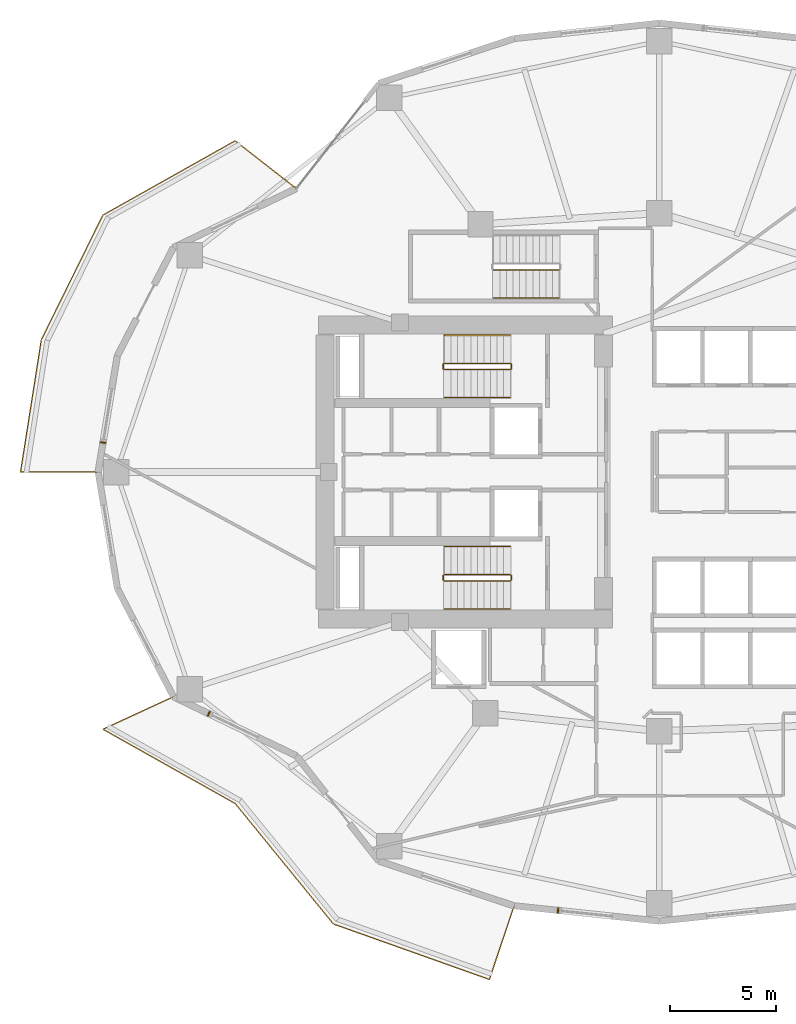
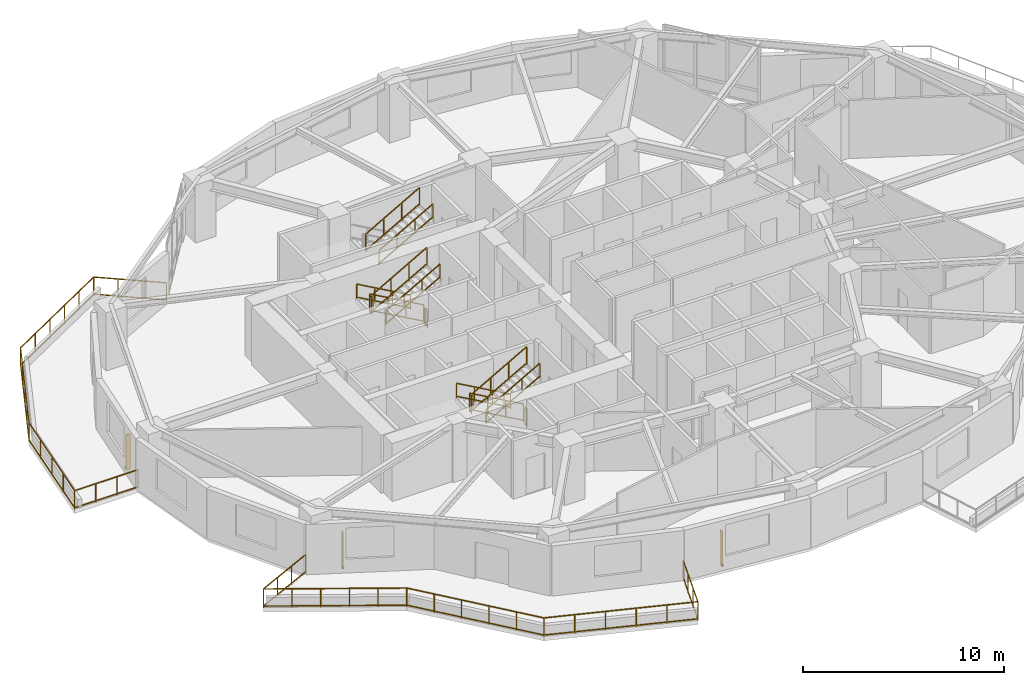
# One storey, part 10 of 12: 16 railings, 3 shading devices.
"""IFC4 building model written with IfcOpenShell, lengths in metres."""

from ifc_helpers import new_model, si_unit, direction, frame, origin, origin_2d, place, context, subcontext, project, spatial, rectangle, extrude, material, type_object, element, save


model = new_model("IFC4")

# Units and contexts
model_context = context("Model", 3, precision=1e-05, world=origin(), true_north=direction((0.0, 1.0)))
body_context = subcontext(model_context, "Body", "Model", "MODEL_VIEW")
ifc_project = project(units=[si_unit("LENGTHUNIT", "METRE"), si_unit("AREAUNIT", "SQUARE_METRE"), si_unit("VOLUMEUNIT", "CUBIC_METRE"), si_unit("PLANEANGLEUNIT", "RADIAN"), si_unit("MASSUNIT", "GRAM", prefix="KILO")], contexts=[model_context])

# Site, building, storey
site_placement = place(None, origin())
site = spatial("IfcSite", under=ifc_project, at=site_placement, CompositionType="ELEMENT")
building_placement = place(site_placement, origin())
building = spatial("IfcBuilding", under=site, at=building_placement, Name="Kolvaren Gate Tower and Convention Centre", CompositionType="ELEMENT")
storey_placement = place(building_placement, frame((0.0, 0.0, 91.949951171875)))
storey = spatial("IfcBuildingStorey", under=building, at=storey_placement, Name="L22", CompositionType="ELEMENT", Elevation=91.949951171875)

# Railings
ifc_material_1 = material(Name="Brushed Stainless Steel Grade 316L", Category="steel")
railing_type_1 = type_object("IfcRailingType", Name="ARCH-RL-GUARD-1150", PredefinedType="GUARDRAIL", material=ifc_material_1)
railing_1_placement = place(storey_placement, frame((23.10009765625, 32.1298828125, 0.175048828125)))
element("IfcRailing", 1, at=railing_1_placement, inside=storey, type_object=railing_type_1, Name="L22 ST-T1 stair guard 1", PredefinedType="GUARDRAIL", context=body_context, shape_type="SweptSolid", body=[
    extrude(rectangle(XDim=0.048095703125, YDim=0.048095703125, at=origin_2d()), frame((0.0, 0.0, 1.076171875), z_axis=(-0.870830938388, 0.0, 0.491582624537), x_axis=(0.0, -1.0, 0.0)), (0.0, 0.0, 1.0), 3.559814453125),
    extrude(rectangle(XDim=0.048095703125, YDim=0.048095703125, at=origin_2d()), frame((0.0, 0.0, 0.083984375), z_axis=(-0.870830938388, 0.0, 0.491582624537), x_axis=(0.0, -1.0, 0.0)), (0.0, 0.0, 1.0), 3.559814453125),
    extrude(rectangle(XDim=0.0419921875, YDim=0.0419921875, at=origin_2d()), origin(), (0.0, 0.0, 1.0), 1.050048828125),
    extrude(rectangle(XDim=0.0419921875, YDim=0.0419921875, at=origin_2d()), frame((-3.10009765625, 0.0, 1.75)), (0.0, 0.0, 1.0), 1.050048828125),
    extrude(rectangle(XDim=0.0419921875, YDim=0.0419921875, at=origin_2d()), frame((-1.033447265625, 0.0, 0.583251953125)), (0.0, 0.0, 1.0), 1.050048828125),
    extrude(rectangle(XDim=0.0419921875, YDim=0.0419921875, at=origin_2d()), frame((-2.066650390625, 0.0, 1.166748046875)), (0.0, 0.0, 1.0), 1.050048828125),
])
railing_2_placement = place(storey_placement, frame((19.949951171875, 32.080078125, 1.925048828125)))
element("IfcRailing", 2, at=railing_2_placement, inside=storey, type_object=railing_type_1, Name="L22 ST-T1 stair guard 2", PredefinedType="GUARDRAIL", context=body_context, shape_type="SweptSolid", body=[
    extrude(rectangle(XDim=0.048095703125, YDim=0.048095703125, at=origin_2d()), frame((0.0, 0.0, 1.076171875), z_axis=(0.0, -1.0, 0.0), x_axis=(1.0, 0.0, 0.0)), (0.0, 0.0, 1.0), 0.2001953125),
    extrude(rectangle(XDim=0.048095703125, YDim=0.048095703125, at=origin_2d()), frame((0.0, 0.0, 0.083984375), z_axis=(0.0, -1.0, 0.0), x_axis=(1.0, 0.0, 0.0)), (0.0, 0.0, 1.0), 0.2001953125),
    extrude(rectangle(XDim=0.0419921875, YDim=0.0419921875, at=origin_2d()), origin(), (0.0, 0.0, 1.0), 1.050048828125),
    extrude(rectangle(XDim=0.0419921875, YDim=0.0419921875, at=origin_2d()), frame((0.0, -0.2001953125, 0.0)), (0.0, 0.0, 1.0), 1.050048828125),
])
railing_3_placement = place(storey_placement, frame((20.0, 31.830078125, 2.10009765625)))
element("IfcRailing", 3, at=railing_3_placement, inside=storey, type_object=railing_type_1, Name="L22 ST-T1 stair guard 3", PredefinedType="GUARDRAIL", context=body_context, shape_type="SweptSolid", body=[
    extrude(rectangle(XDim=0.048095703125, YDim=0.048095703125, at=origin_2d()), frame((0.0, 0.0, 1.076171875), z_axis=(0.870830938388, 0.0, 0.491582624537), x_axis=(0.0, 1.0, 0.0)), (0.0, 0.0, 1.0), 3.559814453125),
    extrude(rectangle(XDim=0.048095703125, YDim=0.048095703125, at=origin_2d()), frame((0.0, 0.0, 0.083984375), z_axis=(0.870830938388, 0.0, 0.491582624537), x_axis=(0.0, 1.0, 0.0)), (0.0, 0.0, 1.0), 3.559814453125),
    extrude(rectangle(XDim=0.0419921875, YDim=0.0419921875, at=origin_2d()), origin(), (0.0, 0.0, 1.0), 1.050048828125),
    extrude(rectangle(XDim=0.0419921875, YDim=0.0419921875, at=origin_2d()), frame((3.10009765625, 0.0, 1.75)), (0.0, 0.0, 1.0), 1.050048828125),
    extrude(rectangle(XDim=0.0419921875, YDim=0.0419921875, at=origin_2d()), frame((1.033447265625, 0.0, 0.583251953125)), (0.0, 0.0, 1.0), 1.050048828125),
    extrude(rectangle(XDim=0.0419921875, YDim=0.0419921875, at=origin_2d()), frame((2.066650390625, 0.0, 1.166748046875)), (0.0, 0.0, 1.0), 1.050048828125),
])
railing_4_placement = place(storey_placement, frame((23.14990234375, 32.080078125, 0.0)))
element("IfcRailing", 4, at=railing_4_placement, inside=storey, type_object=railing_type_1, Name="L22 ST-T1 stair guard 4", PredefinedType="GUARDRAIL", context=body_context, shape_type="SweptSolid", body=[
    extrude(rectangle(XDim=0.048095703125, YDim=0.048095703125, at=origin_2d()), frame((0.0, 0.0, 1.076171875), z_axis=(0.0, -1.0, 0.0), x_axis=(1.0, 0.0, 0.0)), (0.0, 0.0, 1.0), 0.2001953125),
    extrude(rectangle(XDim=0.048095703125, YDim=0.048095703125, at=origin_2d()), frame((0.0, 0.0, 0.083984375), z_axis=(0.0, -1.0, 0.0), x_axis=(1.0, 0.0, 0.0)), (0.0, 0.0, 1.0), 0.2001953125),
    extrude(rectangle(XDim=0.0419921875, YDim=0.0419921875, at=origin_2d()), origin(), (0.0, 0.0, 1.0), 1.050048828125),
    extrude(rectangle(XDim=0.0419921875, YDim=0.0419921875, at=origin_2d()), frame((0.0, -0.2001953125, 0.0)), (0.0, 0.0, 1.0), 1.050048828125),
])
railing_5_placement = place(storey_placement, frame((23.10009765625, 22.169921875, 0.175048828125)))
element("IfcRailing", 5, at=railing_5_placement, inside=storey, type_object=railing_type_1, Name="L22 ST-T2 stair guard 1", PredefinedType="GUARDRAIL", context=body_context, shape_type="SweptSolid", body=[
    extrude(rectangle(XDim=0.048095703125, YDim=0.048095703125, at=origin_2d()), frame((0.0, 0.0, 1.076171875), z_axis=(-0.870830938388, 0.0, 0.491582624537), x_axis=(0.0, -1.0, 0.0)), (0.0, 0.0, 1.0), 3.559814453125),
    extrude(rectangle(XDim=0.048095703125, YDim=0.048095703125, at=origin_2d()), frame((0.0, 0.0, 0.083984375), z_axis=(-0.870830938388, 0.0, 0.491582624537), x_axis=(0.0, -1.0, 0.0)), (0.0, 0.0, 1.0), 3.559814453125),
    extrude(rectangle(XDim=0.0419921875, YDim=0.0419921875, at=origin_2d()), origin(), (0.0, 0.0, 1.0), 1.050048828125),
    extrude(rectangle(XDim=0.0419921875, YDim=0.0419921875, at=origin_2d()), frame((-3.10009765625, 0.0, 1.75)), (0.0, 0.0, 1.0), 1.050048828125),
    extrude(rectangle(XDim=0.0419921875, YDim=0.0419921875, at=origin_2d()), frame((-1.033447265625, 0.0, 0.583251953125)), (0.0, 0.0, 1.0), 1.050048828125),
    extrude(rectangle(XDim=0.0419921875, YDim=0.0419921875, at=origin_2d()), frame((-2.066650390625, 0.0, 1.166748046875)), (0.0, 0.0, 1.0), 1.050048828125),
])
railing_6_placement = place(storey_placement, frame((19.949951171875, 22.1201171875, 1.925048828125)))
element("IfcRailing", 6, at=railing_6_placement, inside=storey, type_object=railing_type_1, Name="L22 ST-T2 stair guard 2", PredefinedType="GUARDRAIL", context=body_context, shape_type="SweptSolid", body=[
    extrude(rectangle(XDim=0.048095703125, YDim=0.048095703125, at=origin_2d()), frame((0.0, 0.0, 1.076171875), z_axis=(0.0, -1.0, 0.0), x_axis=(1.0, 0.0, 0.0)), (0.0, 0.0, 1.0), 0.2001953125),
    extrude(rectangle(XDim=0.048095703125, YDim=0.048095703125, at=origin_2d()), frame((0.0, 0.0, 0.083984375), z_axis=(0.0, -1.0, 0.0), x_axis=(1.0, 0.0, 0.0)), (0.0, 0.0, 1.0), 0.2001953125),
    extrude(rectangle(XDim=0.0419921875, YDim=0.0419921875, at=origin_2d()), origin(), (0.0, 0.0, 1.0), 1.050048828125),
    extrude(rectangle(XDim=0.0419921875, YDim=0.0419921875, at=origin_2d()), frame((0.0, -0.2001953125, 0.0)), (0.0, 0.0, 1.0), 1.050048828125),
])
railing_7_placement = place(storey_placement, frame((20.0, 21.8701171875, 2.10009765625)))
element("IfcRailing", 7, at=railing_7_placement, inside=storey, type_object=railing_type_1, Name="L22 ST-T2 stair guard 3", PredefinedType="GUARDRAIL", context=body_context, shape_type="SweptSolid", body=[
    extrude(rectangle(XDim=0.048095703125, YDim=0.048095703125, at=origin_2d()), frame((0.0, 0.0, 1.076171875), z_axis=(0.870830938388, 0.0, 0.491582624537), x_axis=(0.0, 1.0, 0.0)), (0.0, 0.0, 1.0), 3.559814453125),
    extrude(rectangle(XDim=0.048095703125, YDim=0.048095703125, at=origin_2d()), frame((0.0, 0.0, 0.083984375), z_axis=(0.870830938388, 0.0, 0.491582624537), x_axis=(0.0, 1.0, 0.0)), (0.0, 0.0, 1.0), 3.559814453125),
    extrude(rectangle(XDim=0.0419921875, YDim=0.0419921875, at=origin_2d()), origin(), (0.0, 0.0, 1.0), 1.050048828125),
    extrude(rectangle(XDim=0.0419921875, YDim=0.0419921875, at=origin_2d()), frame((3.10009765625, 0.0, 1.75)), (0.0, 0.0, 1.0), 1.050048828125),
    extrude(rectangle(XDim=0.0419921875, YDim=0.0419921875, at=origin_2d()), frame((1.033447265625, 0.0, 0.583251953125)), (0.0, 0.0, 1.0), 1.050048828125),
    extrude(rectangle(XDim=0.0419921875, YDim=0.0419921875, at=origin_2d()), frame((2.066650390625, 0.0, 1.166748046875)), (0.0, 0.0, 1.0), 1.050048828125),
])
railing_8_placement = place(storey_placement, frame((23.14990234375, 22.1201171875, 0.0)))
element("IfcRailing", 8, at=railing_8_placement, inside=storey, type_object=railing_type_1, Name="L22 ST-T2 stair guard 4", PredefinedType="GUARDRAIL", context=body_context, shape_type="SweptSolid", body=[
    extrude(rectangle(XDim=0.048095703125, YDim=0.048095703125, at=origin_2d()), frame((0.0, 0.0, 1.076171875), z_axis=(0.0, -1.0, 0.0), x_axis=(1.0, 0.0, 0.0)), (0.0, 0.0, 1.0), 0.2001953125),
    extrude(rectangle(XDim=0.048095703125, YDim=0.048095703125, at=origin_2d()), frame((0.0, 0.0, 0.083984375), z_axis=(0.0, -1.0, 0.0), x_axis=(1.0, 0.0, 0.0)), (0.0, 0.0, 1.0), 0.2001953125),
    extrude(rectangle(XDim=0.0419921875, YDim=0.0419921875, at=origin_2d()), origin(), (0.0, 0.0, 1.0), 1.050048828125),
    extrude(rectangle(XDim=0.0419921875, YDim=0.0419921875, at=origin_2d()), frame((0.0, -0.2001953125, 0.0)), (0.0, 0.0, 1.0), 1.050048828125),
])
railing_9_placement = place(storey_placement, frame((22.300048828125, 36.530029296875, 2.10009765625)))
element("IfcRailing", 9, at=railing_9_placement, inside=storey, type_object=railing_type_1, Name="L22 ST-T3 stair guard 3", PredefinedType="GUARDRAIL", context=body_context, shape_type="SweptSolid", body=[
    extrude(rectangle(XDim=0.048095703125, YDim=0.048095703125, at=origin_2d()), frame((0.0, 0.0, 1.076171875), z_axis=(0.870814364268, 0.0, 0.491611984175), x_axis=(0.0, 1.0, 0.0)), (0.0, 0.0, 1.0), 3.559814453125),
    extrude(rectangle(XDim=0.048095703125, YDim=0.048095703125, at=origin_2d()), frame((0.0, 0.0, 0.083984375), z_axis=(0.870814364268, 0.0, 0.491611984175), x_axis=(0.0, 1.0, 0.0)), (0.0, 0.0, 1.0), 3.559814453125),
    extrude(rectangle(XDim=0.0419921875, YDim=0.0419921875, at=origin_2d()), origin(), (0.0, 0.0, 1.0), 1.050048828125),
    extrude(rectangle(XDim=0.0419921875, YDim=0.0419921875, at=origin_2d()), frame((3.099853515625, 0.0, 1.75)), (0.0, 0.0, 1.0), 1.050048828125),
    extrude(rectangle(XDim=0.0419921875, YDim=0.0419921875, at=origin_2d()), frame((1.033203125, 0.0, 0.583251953125)), (0.0, 0.0, 1.0), 1.050048828125),
    extrude(rectangle(XDim=0.0419921875, YDim=0.0419921875, at=origin_2d()), frame((2.066650390625, 0.0, 1.166748046875)), (0.0, 0.0, 1.0), 1.050048828125),
])
railing_10_placement = place(storey_placement, frame((13.026123046875, 40.360107421875, 0.0)))
element("IfcRailing", 10, at=railing_10_placement, inside=storey, type_object=railing_type_1, Name="Tower L22 Terrace Perimeter Guardrail GR-2", PredefinedType="GUARDRAIL", context=body_context, shape_type="SweptSolid", body=[
    extrude(rectangle(XDim=0.048095703125, YDim=0.048095703125, at=origin_2d()), frame((-0.022216796875, 0.017333984375, 1.1259765625), z_axis=(-0.787988976981, 0.61568934712, 0.0), x_axis=(-0.61568934712, -0.787988976981, 0.0)), (0.0, 0.0, 1.0), 3.60400390625),
    extrude(rectangle(XDim=0.048095703125, YDim=0.048095703125, at=origin_2d()), frame((-0.022216796875, 0.017333984375, 0.083984375), z_axis=(-0.787988976981, 0.61568934712, 0.0), x_axis=(-0.61568934712, -0.787988976981, 0.0)), (0.0, 0.0, 1.0), 3.60400390625),
    extrude(rectangle(XDim=0.048095703125, YDim=0.048095703125, at=origin_2d()), frame((-2.908447265625, 2.23974609375, 1.1259765625), z_axis=(-0.871783301661, -0.489891697159, 0.0), x_axis=(0.489891697159, -0.871783301661, 0.0)), (0.0, 0.0, 1.0), 7.096435546875),
    extrude(rectangle(XDim=0.048095703125, YDim=0.048095703125, at=origin_2d()), frame((-2.908447265625, 2.23974609375, 0.083984375), z_axis=(-0.871783301661, -0.489891697159, 0.0), x_axis=(0.489891697159, -0.871783301661, 0.0)), (0.0, 0.0, 1.0), 7.096435546875),
    extrude(rectangle(XDim=0.048095703125, YDim=0.048095703125, at=origin_2d()), frame((-9.1318359375, -1.275634765625, 1.1259765625), z_axis=(-0.442686636348, -0.89667638644, 0.0), x_axis=(0.89667638644, -0.442686636348, 0.0)), (0.0, 0.0, 1.0), 6.488525390625),
    extrude(rectangle(XDim=0.048095703125, YDim=0.048095703125, at=origin_2d()), frame((-9.1318359375, -1.275634765625, 0.083984375), z_axis=(-0.442686636348, -0.89667638644, 0.0), x_axis=(0.89667638644, -0.442686636348, 0.0)), (0.0, 0.0, 1.0), 6.488525390625),
    extrude(rectangle(XDim=0.048095703125, YDim=0.048095703125, at=origin_2d()), frame((-12.02099609375, -7.146484375, 1.1259765625), z_axis=(-0.155418843943, -0.98784866399, 0.0), x_axis=(0.98784866399, -0.155418843943, 0.0)), (0.0, 0.0, 1.0), 6.261962890625),
    extrude(rectangle(XDim=0.048095703125, YDim=0.048095703125, at=origin_2d()), frame((-12.02099609375, -7.146484375, 0.083984375), z_axis=(-0.155418843943, -0.98784866399, 0.0), x_axis=(0.98784866399, -0.155418843943, 0.0)), (0.0, 0.0, 1.0), 6.261962890625),
    extrude(rectangle(XDim=0.048095703125, YDim=0.048095703125, at=origin_2d()), frame((-12.970458984375, -13.360107421875, 1.1259765625), z_axis=(1.0, 0.0, 0.0), x_axis=(0.0, 1.0, 0.0)), (0.0, 0.0, 1.0), 3.603759765625),
    extrude(rectangle(XDim=0.048095703125, YDim=0.048095703125, at=origin_2d()), frame((-12.970458984375, -13.360107421875, 0.083984375), z_axis=(1.0, 0.0, 0.0), x_axis=(0.0, 1.0, 0.0)), (0.0, 0.0, 1.0), 3.603759765625),
    extrude(rectangle(XDim=0.0419921875, YDim=0.0419921875, at=origin_2d()), origin(), (0.0, 0.0, 1.0), 1.14990234375),
    extrude(rectangle(XDim=0.0419921875, YDim=0.0419921875, at=origin_2d()), frame((-2.884033203125, 2.25341796875, 0.0)), (0.0, 0.0, 1.0), 1.14990234375),
    extrude(rectangle(XDim=0.0419921875, YDim=0.0419921875, at=origin_2d()), frame((-0.96142578125, 0.751220703125, 0.0)), (0.0, 0.0, 1.0), 1.099853515625),
    extrude(rectangle(XDim=0.0419921875, YDim=0.0419921875, at=origin_2d()), frame((-1.922607421875, 1.502197265625, 0.0)), (0.0, 0.0, 1.0), 1.099853515625),
    extrude(rectangle(XDim=0.0419921875, YDim=0.0419921875, at=origin_2d()), frame((-9.119384765625, -1.25048828125, 0.0)), (0.0, 0.0, 1.0), 1.14990234375),
    extrude(rectangle(XDim=0.0419921875, YDim=0.0419921875, at=origin_2d()), frame((-4.131103515625, 1.552734375, 0.0)), (0.0, 0.0, 1.0), 1.099853515625),
    extrude(rectangle(XDim=0.0419921875, YDim=0.0419921875, at=origin_2d()), frame((-5.378173828125, 0.851806640625, 0.0)), (0.0, 0.0, 1.0), 1.099853515625),
    extrude(rectangle(XDim=0.0419921875, YDim=0.0419921875, at=origin_2d()), frame((-6.625244140625, 0.151123046875, 0.0)), (0.0, 0.0, 1.0), 1.099853515625),
    extrude(rectangle(XDim=0.0419921875, YDim=0.0419921875, at=origin_2d()), frame((-7.872314453125, -0.5498046875, 0.0)), (0.0, 0.0, 1.0), 1.099853515625),
    extrude(rectangle(XDim=0.0419921875, YDim=0.0419921875, at=origin_2d()), frame((-12.0166015625, -7.118896484375, 0.0)), (0.0, 0.0, 1.0), 1.14990234375),
    extrude(rectangle(XDim=0.0419921875, YDim=0.0419921875, at=origin_2d()), frame((-9.84375, -2.717529296875, 0.0)), (0.0, 0.0, 1.0), 1.099853515625),
    extrude(rectangle(XDim=0.0419921875, YDim=0.0419921875, at=origin_2d()), frame((-10.56787109375, -4.1845703125, 0.0)), (0.0, 0.0, 1.0), 1.099853515625),
    extrude(rectangle(XDim=0.0419921875, YDim=0.0419921875, at=origin_2d()), frame((-11.292236328125, -5.65185546875, 0.0)), (0.0, 0.0, 1.0), 1.099853515625),
    extrude(rectangle(XDim=0.0419921875, YDim=0.0419921875, at=origin_2d()), frame((-12.99853515625, -13.360107421875, 0.0)), (0.0, 0.0, 1.0), 1.14990234375),
    extrude(rectangle(XDim=0.0419921875, YDim=0.0419921875, at=origin_2d()), frame((-12.26220703125, -8.67919921875, 0.0)), (0.0, 0.0, 1.0), 1.099853515625),
    extrude(rectangle(XDim=0.0419921875, YDim=0.0419921875, at=origin_2d()), frame((-12.507568359375, -10.239501953125, 0.0)), (0.0, 0.0, 1.0), 1.099853515625),
    extrude(rectangle(XDim=0.0419921875, YDim=0.0419921875, at=origin_2d()), frame((-12.7529296875, -11.7998046875, 0.0)), (0.0, 0.0, 1.0), 1.099853515625),
    extrude(rectangle(XDim=0.0419921875, YDim=0.0419921875, at=origin_2d()), frame((-9.338623046875, -13.360107421875, 0.0)), (0.0, 0.0, 1.0), 1.14990234375),
    extrude(rectangle(XDim=0.0419921875, YDim=0.0419921875, at=origin_2d()), frame((-11.778564453125, -13.360107421875, 0.0)), (0.0, 0.0, 1.0), 1.099853515625),
    extrude(rectangle(XDim=0.0419921875, YDim=0.0419921875, at=origin_2d()), frame((-10.55859375, -13.360107421875, 0.0)), (0.0, 0.0, 1.0), 1.099853515625),
])
railing_11_placement = place(storey_placement, frame((7.2294921875, 16.425048828125, 0.0)))
element("IfcRailing", 11, at=railing_11_placement, inside=storey, type_object=railing_type_1, Name="Tower L22 Terrace Perimeter Guardrail GR-3", PredefinedType="GUARDRAIL", context=body_context, shape_type="SweptSolid", body=[
    extrude(rectangle(XDim=0.048095703125, YDim=0.048095703125, at=origin_2d()), frame((-0.025390625, -0.01171875, 1.1259765625), z_axis=(-0.907846116663, -0.419303503993, 0.0), x_axis=(0.419303503993, -0.907846116663, 0.0)), (0.0, 0.0, 1.0), 3.60400390625),
    extrude(rectangle(XDim=0.048095703125, YDim=0.048095703125, at=origin_2d()), frame((-0.025390625, -0.01171875, 0.083984375), z_axis=(-0.907846116663, -0.419303503993, 0.0), x_axis=(0.419303503993, -0.907846116663, 0.0)), (0.0, 0.0, 1.0), 3.60400390625),
    extrude(rectangle(XDim=0.048095703125, YDim=0.048095703125, at=origin_2d()), frame((-3.29833984375, -1.54833984375, 1.1259765625), z_axis=(0.871783301661, -0.489891697159, 0.0), x_axis=(0.489891697159, 0.871783301661, 0.0)), (0.0, 0.0, 1.0), 7.096435546875),
    extrude(rectangle(XDim=0.048095703125, YDim=0.048095703125, at=origin_2d()), frame((-3.29833984375, -1.54833984375, 0.083984375), z_axis=(0.871783301661, -0.489891697159, 0.0), x_axis=(0.489891697159, 0.871783301661, 0.0)), (0.0, 0.0, 1.0), 7.096435546875),
    extrude(rectangle(XDim=0.048095703125, YDim=0.048095703125, at=origin_2d()), frame((2.930419921875, -5.060302734375, 1.1259765625), z_axis=(0.631819273026, -0.775115737315, 0.0), x_axis=(0.775115737315, 0.631819273026, 0.0)), (0.0, 0.0, 1.0), 7.259765625),
    extrude(rectangle(XDim=0.048095703125, YDim=0.048095703125, at=origin_2d()), frame((2.930419921875, -5.060302734375, 0.083984375), z_axis=(0.631819273026, -0.775115737315, 0.0), x_axis=(0.775115737315, 0.631819273026, 0.0)), (0.0, 0.0, 1.0), 7.259765625),
    extrude(rectangle(XDim=0.048095703125, YDim=0.048095703125, at=origin_2d()), frame((7.561279296875, -10.718505859375, 1.1259765625), z_axis=(0.942200211781, -0.335050385643, 0.0), x_axis=(0.335050385643, 0.942200211781, 0.0)), (0.0, 0.0, 1.0), 7.7509765625),
    extrude(rectangle(XDim=0.048095703125, YDim=0.048095703125, at=origin_2d()), frame((7.561279296875, -10.718505859375, 0.083984375), z_axis=(0.942200211781, -0.335050385643, 0.0), x_axis=(0.335050385643, 0.942200211781, 0.0)), (0.0, 0.0, 1.0), 7.7509765625),
    extrude(rectangle(XDim=0.048095703125, YDim=0.048095703125, at=origin_2d()), frame((14.8994140625, -13.29833984375, 1.1259765625), z_axis=(0.317568160167, 0.94823544737, 0.0), x_axis=(-0.94823544737, 0.317568160167, 0.0)), (0.0, 0.0, 1.0), 3.60400390625),
    extrude(rectangle(XDim=0.048095703125, YDim=0.048095703125, at=origin_2d()), frame((14.8994140625, -13.29833984375, 0.083984375), z_axis=(0.317568160167, 0.94823544737, 0.0), x_axis=(-0.94823544737, 0.317568160167, 0.0)), (0.0, 0.0, 1.0), 3.60400390625),
    extrude(rectangle(XDim=0.0419921875, YDim=0.0419921875, at=origin_2d()), origin(), (0.0, 0.0, 1.0), 1.14990234375),
    extrude(rectangle(XDim=0.0419921875, YDim=0.0419921875, at=origin_2d()), frame((-3.32275390625, -1.53466796875, 0.0)), (0.0, 0.0, 1.0), 1.14990234375),
    extrude(rectangle(XDim=0.0419921875, YDim=0.0419921875, at=origin_2d()), frame((-1.107666015625, -0.511474609375, 0.0)), (0.0, 0.0, 1.0), 1.099853515625),
    extrude(rectangle(XDim=0.0419921875, YDim=0.0419921875, at=origin_2d()), frame((-2.215087890625, -1.023193359375, 0.0)), (0.0, 0.0, 1.0), 1.099853515625),
    extrude(rectangle(XDim=0.0419921875, YDim=0.0419921875, at=origin_2d()), frame((2.91259765625, -5.03857421875, 0.0)), (0.0, 0.0, 1.0), 1.14990234375),
    extrude(rectangle(XDim=0.0419921875, YDim=0.0419921875, at=origin_2d()), frame((-2.07568359375, -2.2353515625, 0.0)), (0.0, 0.0, 1.0), 1.099853515625),
    extrude(rectangle(XDim=0.0419921875, YDim=0.0419921875, at=origin_2d()), frame((-0.82861328125, -2.936279296875, 0.0)), (0.0, 0.0, 1.0), 1.099853515625),
    extrude(rectangle(XDim=0.0419921875, YDim=0.0419921875, at=origin_2d()), frame((0.41845703125, -3.636962890625, 0.0)), (0.0, 0.0, 1.0), 1.099853515625),
    extrude(rectangle(XDim=0.0419921875, YDim=0.0419921875, at=origin_2d()), frame((1.66552734375, -4.337890625, 0.0)), (0.0, 0.0, 1.0), 1.099853515625),
    extrude(rectangle(XDim=0.0419921875, YDim=0.0419921875, at=origin_2d()), frame((7.534912109375, -10.709228515625, 0.0)), (0.0, 0.0, 1.0), 1.14990234375),
    extrude(rectangle(XDim=0.0419921875, YDim=0.0419921875, at=origin_2d()), frame((3.837158203125, -6.172607421875, 0.0)), (0.0, 0.0, 1.0), 1.099853515625),
    extrude(rectangle(XDim=0.0419921875, YDim=0.0419921875, at=origin_2d()), frame((4.761474609375, -7.306884765625, 0.0)), (0.0, 0.0, 1.0), 1.099853515625),
    extrude(rectangle(XDim=0.0419921875, YDim=0.0419921875, at=origin_2d()), frame((5.68603515625, -8.44091796875, 0.0)), (0.0, 0.0, 1.0), 1.099853515625),
    extrude(rectangle(XDim=0.0419921875, YDim=0.0419921875, at=origin_2d()), frame((6.6103515625, -9.5751953125, 0.0)), (0.0, 0.0, 1.0), 1.099853515625),
    extrude(rectangle(XDim=0.0419921875, YDim=0.0419921875, at=origin_2d()), frame((14.890625, -13.324951171875, 0.0)), (0.0, 0.0, 1.0), 1.14990234375),
    extrude(rectangle(XDim=0.0419921875, YDim=0.0419921875, at=origin_2d()), frame((9.006103515625, -11.232421875, 0.0)), (0.0, 0.0, 1.0), 1.099853515625),
    extrude(rectangle(XDim=0.0419921875, YDim=0.0419921875, at=origin_2d()), frame((10.477294921875, -11.755615234375, 0.0)), (0.0, 0.0, 1.0), 1.099853515625),
    extrude(rectangle(XDim=0.0419921875, YDim=0.0419921875, at=origin_2d()), frame((11.9482421875, -12.278564453125, 0.0)), (0.0, 0.0, 1.0), 1.099853515625),
    extrude(rectangle(XDim=0.0419921875, YDim=0.0419921875, at=origin_2d()), frame((13.41943359375, -12.8017578125, 0.0)), (0.0, 0.0, 1.0), 1.099853515625),
    extrude(rectangle(XDim=0.0419921875, YDim=0.0419921875, at=origin_2d()), frame((16.052978515625, -9.854248046875, 0.0)), (0.0, 0.0, 1.0), 1.14990234375),
    extrude(rectangle(XDim=0.0419921875, YDim=0.0419921875, at=origin_2d()), frame((15.278076171875, -12.16796875, 0.0)), (0.0, 0.0, 1.0), 1.099853515625),
    extrude(rectangle(XDim=0.0419921875, YDim=0.0419921875, at=origin_2d()), frame((15.66552734375, -11.01123046875, 0.0)), (0.0, 0.0, 1.0), 1.099853515625),
])
railing_type_2 = type_object("IfcRailingType", Name="ARCH-RL-HANDRAIL-920", PredefinedType="HANDRAIL", material=ifc_material_1)
railing_12_placement = place(storey_placement, frame((23.10009765625, 33.449951171875, 0.175048828125)))
element("IfcRailing", 12, at=railing_12_placement, inside=storey, type_object=railing_type_2, Name="L22 ST-T1 stair handrail 1", PredefinedType="HANDRAIL", context=body_context, shape_type="SweptSolid", body=[
    extrude(rectangle(XDim=0.048095703125, YDim=0.048095703125, at=origin_2d()), frame((0.0, 0.0, 0.8759765625), z_axis=(-0.870830938388, 0.0, 0.491582624537), x_axis=(0.0, -1.0, 0.0)), (0.0, 0.0, 1.0), 3.559814453125),
    extrude(rectangle(XDim=0.048095703125, YDim=0.048095703125, at=origin_2d()), frame((0.0, 0.0, 0.083984375), z_axis=(-0.870830938388, 0.0, 0.491582624537), x_axis=(0.0, -1.0, 0.0)), (0.0, 0.0, 1.0), 3.559814453125),
    extrude(rectangle(XDim=0.0419921875, YDim=0.0419921875, at=origin_2d()), origin(), (0.0, 0.0, 1.0), 0.849853515625),
    extrude(rectangle(XDim=0.0419921875, YDim=0.0419921875, at=origin_2d()), frame((-3.10009765625, 0.0, 1.75)), (0.0, 0.0, 1.0), 0.849853515625),
    extrude(rectangle(XDim=0.0419921875, YDim=0.0419921875, at=origin_2d()), frame((-1.033447265625, 0.0, 0.583251953125)), (0.0, 0.0, 1.0), 0.849853515625),
    extrude(rectangle(XDim=0.0419921875, YDim=0.0419921875, at=origin_2d()), frame((-2.066650390625, 0.0, 1.166748046875)), (0.0, 0.0, 1.0), 0.849853515625),
])
railing_13_placement = place(storey_placement, frame((20.0, 30.510009765625, 2.10009765625)))
element("IfcRailing", 13, at=railing_13_placement, inside=storey, type_object=railing_type_2, Name="L22 ST-T1 stair handrail 2", PredefinedType="HANDRAIL", context=body_context, shape_type="SweptSolid", body=[
    extrude(rectangle(XDim=0.048095703125, YDim=0.048095703125, at=origin_2d()), frame((0.0, 0.0, 0.8759765625), z_axis=(0.870830938388, 0.0, 0.491582624537), x_axis=(0.0, 1.0, 0.0)), (0.0, 0.0, 1.0), 3.559814453125),
    extrude(rectangle(XDim=0.048095703125, YDim=0.048095703125, at=origin_2d()), frame((0.0, 0.0, 0.083984375), z_axis=(0.870830938388, 0.0, 0.491582624537), x_axis=(0.0, 1.0, 0.0)), (0.0, 0.0, 1.0), 3.559814453125),
    extrude(rectangle(XDim=0.0419921875, YDim=0.0419921875, at=origin_2d()), origin(), (0.0, 0.0, 1.0), 0.849853515625),
    extrude(rectangle(XDim=0.0419921875, YDim=0.0419921875, at=origin_2d()), frame((3.10009765625, 0.0, 1.75)), (0.0, 0.0, 1.0), 0.849853515625),
    extrude(rectangle(XDim=0.0419921875, YDim=0.0419921875, at=origin_2d()), frame((1.033447265625, 0.0, 0.583251953125)), (0.0, 0.0, 1.0), 0.849853515625),
    extrude(rectangle(XDim=0.0419921875, YDim=0.0419921875, at=origin_2d()), frame((2.066650390625, 0.0, 1.166748046875)), (0.0, 0.0, 1.0), 0.849853515625),
])
railing_14_placement = place(storey_placement, frame((23.10009765625, 23.489990234375, 0.175048828125)))
element("IfcRailing", 14, at=railing_14_placement, inside=storey, type_object=railing_type_2, Name="L22 ST-T2 stair handrail 1", PredefinedType="HANDRAIL", context=body_context, shape_type="SweptSolid", body=[
    extrude(rectangle(XDim=0.048095703125, YDim=0.048095703125, at=origin_2d()), frame((0.0, 0.0, 0.8759765625), z_axis=(-0.870830938388, 0.0, 0.491582624537), x_axis=(0.0, -1.0, 0.0)), (0.0, 0.0, 1.0), 3.559814453125),
    extrude(rectangle(XDim=0.048095703125, YDim=0.048095703125, at=origin_2d()), frame((0.0, 0.0, 0.083984375), z_axis=(-0.870830938388, 0.0, 0.491582624537), x_axis=(0.0, -1.0, 0.0)), (0.0, 0.0, 1.0), 3.559814453125),
    extrude(rectangle(XDim=0.0419921875, YDim=0.0419921875, at=origin_2d()), origin(), (0.0, 0.0, 1.0), 0.849853515625),
    extrude(rectangle(XDim=0.0419921875, YDim=0.0419921875, at=origin_2d()), frame((-3.10009765625, 0.0, 1.75)), (0.0, 0.0, 1.0), 0.849853515625),
    extrude(rectangle(XDim=0.0419921875, YDim=0.0419921875, at=origin_2d()), frame((-1.033447265625, 0.0, 0.583251953125)), (0.0, 0.0, 1.0), 0.849853515625),
    extrude(rectangle(XDim=0.0419921875, YDim=0.0419921875, at=origin_2d()), frame((-2.066650390625, 0.0, 1.166748046875)), (0.0, 0.0, 1.0), 0.849853515625),
])
railing_15_placement = place(storey_placement, frame((20.0, 20.550048828125, 2.10009765625)))
element("IfcRailing", 15, at=railing_15_placement, inside=storey, type_object=railing_type_2, Name="L22 ST-T2 stair handrail 2", PredefinedType="HANDRAIL", context=body_context, shape_type="SweptSolid", body=[
    extrude(rectangle(XDim=0.048095703125, YDim=0.048095703125, at=origin_2d()), frame((0.0, 0.0, 0.8759765625), z_axis=(0.870830938388, 0.0, 0.491582624537), x_axis=(0.0, 1.0, 0.0)), (0.0, 0.0, 1.0), 3.559814453125),
    extrude(rectangle(XDim=0.048095703125, YDim=0.048095703125, at=origin_2d()), frame((0.0, 0.0, 0.083984375), z_axis=(0.870830938388, 0.0, 0.491582624537), x_axis=(0.0, 1.0, 0.0)), (0.0, 0.0, 1.0), 3.559814453125),
    extrude(rectangle(XDim=0.0419921875, YDim=0.0419921875, at=origin_2d()), origin(), (0.0, 0.0, 1.0), 0.849853515625),
    extrude(rectangle(XDim=0.0419921875, YDim=0.0419921875, at=origin_2d()), frame((3.10009765625, 0.0, 1.75)), (0.0, 0.0, 1.0), 0.849853515625),
    extrude(rectangle(XDim=0.0419921875, YDim=0.0419921875, at=origin_2d()), frame((1.033447265625, 0.0, 0.583251953125)), (0.0, 0.0, 1.0), 0.849853515625),
    extrude(rectangle(XDim=0.0419921875, YDim=0.0419921875, at=origin_2d()), frame((2.066650390625, 0.0, 1.166748046875)), (0.0, 0.0, 1.0), 0.849853515625),
])
railing_16_placement = place(storey_placement, frame((22.300048828125, 35.2099609375, 2.10009765625)))
element("IfcRailing", 16, at=railing_16_placement, inside=storey, type_object=railing_type_2, Name="L22 ST-T3 stair handrail 2", PredefinedType="HANDRAIL", context=body_context, shape_type="SweptSolid", body=[
    extrude(rectangle(XDim=0.048095703125, YDim=0.048095703125, at=origin_2d()), frame((0.0, 0.0, 0.8759765625), z_axis=(0.870814364268, 0.0, 0.491611984175), x_axis=(0.0, 1.0, 0.0)), (0.0, 0.0, 1.0), 3.559814453125),
    extrude(rectangle(XDim=0.048095703125, YDim=0.048095703125, at=origin_2d()), frame((0.0, 0.0, 0.083984375), z_axis=(0.870814364268, 0.0, 0.491611984175), x_axis=(0.0, 1.0, 0.0)), (0.0, 0.0, 1.0), 3.559814453125),
    extrude(rectangle(XDim=0.0419921875, YDim=0.0419921875, at=origin_2d()), origin(), (0.0, 0.0, 1.0), 0.849853515625),
    extrude(rectangle(XDim=0.0419921875, YDim=0.0419921875, at=origin_2d()), frame((3.099853515625, 0.0, 1.75)), (0.0, 0.0, 1.0), 0.849853515625),
    extrude(rectangle(XDim=0.0419921875, YDim=0.0419921875, at=origin_2d()), frame((1.033203125, 0.0, 0.583251953125)), (0.0, 0.0, 1.0), 0.849853515625),
    extrude(rectangle(XDim=0.0419921875, YDim=0.0419921875, at=origin_2d()), frame((2.066650390625, 0.0, 1.166748046875)), (0.0, 0.0, 1.0), 0.849853515625),
])

# Shading devices
ifc_material_2 = material(Name="Kiln-Fired Bogota Terracotta Ceramic Louvre Profile", Category="masonry")
shading_device_type = type_object("IfcShadingDeviceType", Name="ARCH-SHD-FIN-180", PredefinedType="JALOUSIE", material=ifc_material_2)
for number, where, z_axis, x_axis, name in (
    (17, (3.9169921875, 28.395263671875, 0.22021484375), (0.0, 0.0, 1.0), (0.162375401515, 0.986729055508, 0.0), "Ceramic Vertical Brise-Soleil Fin FN-L22-11"),
    (18, (8.901611328125, 15.62158203125, 0.22021484375), (0.0, 0.0, 1.0), (0.901357634097, -0.433075530889, 0.0), "Ceramic Vertical Brise-Soleil Fin FN-L22-14"),
    (19, (25.35107421875, 6.352783203125, 0.22021484375), (0.0, 0.0, 1.0), (0.994498884311, -0.104747167526, 0.0), "Ceramic Vertical Brise-Soleil Fin FN-L22-17"),
):
    element("IfcShadingDevice", number, at=place(storey_placement, frame(where, z_axis=z_axis, x_axis=x_axis)), inside=storey, type_object=shading_device_type, Name=name, PredefinedType="JALOUSIE", context=body_context, shape_type="SweptSolid", body=[
        extrude(rectangle(XDim=0.06005859375, YDim=0.239990234375, at=origin_2d()), origin(), (0.0, 0.0, 1.0), 2.14990234375),
    ])

save(model, "model.ifc")
